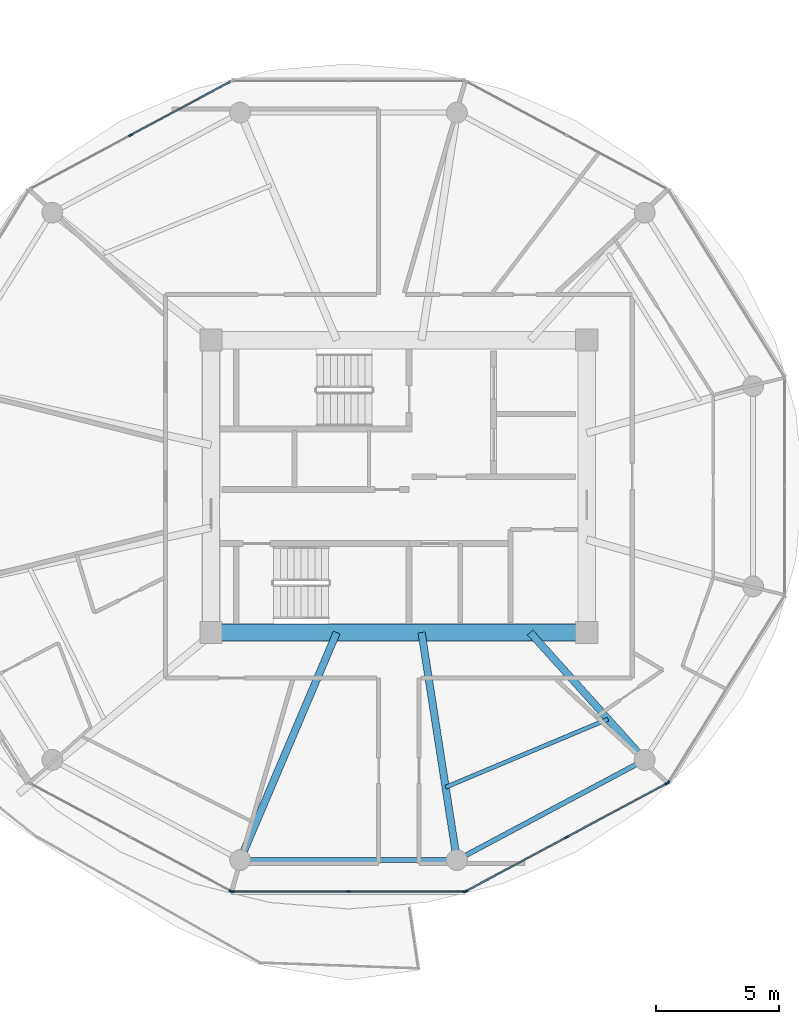
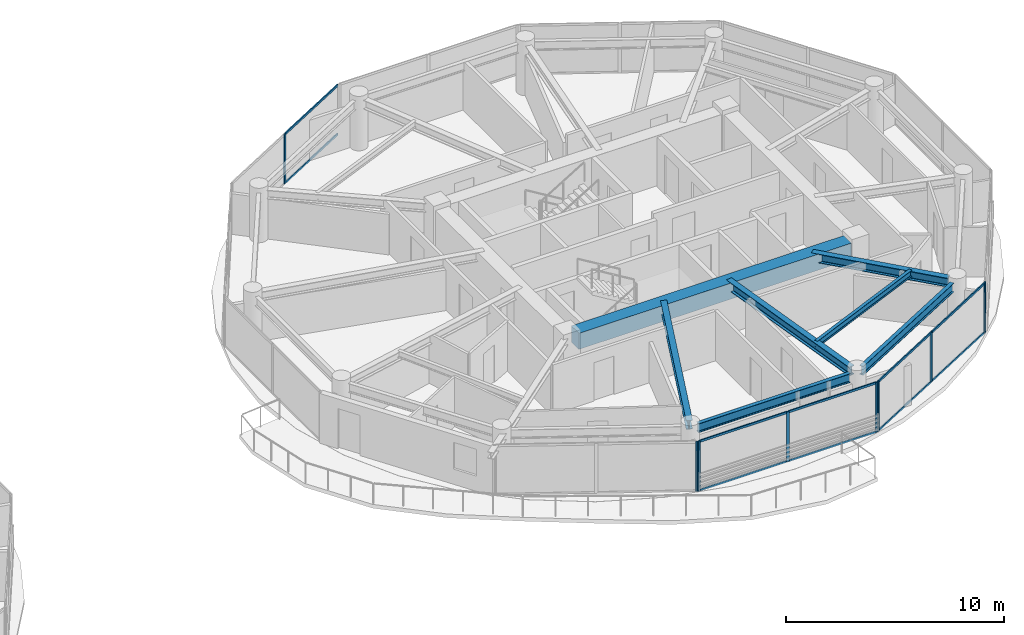
# One storey, part 10 of 23: 19 members, 7 beams, 5 elements without a shape of their own.
"""IFC4 building model written with IfcOpenShell, lengths in metres."""

from ifc_helpers import new_model, si_unit, direction, frame, origin, origin_2d, place, context, subcontext, project, spatial, rectangle, i_section, extrude, source, transform, mapped, material, layer, layer_set, material_profile, profile_set, type_object, type_shapes, element, aggregate, save


model = new_model("IFC4")

# Units and contexts
model_context = context("Model", 3, precision=1e-05, world=origin(), true_north=direction((0.0, 1.0)))
body_context = subcontext(model_context, "Body", "Model", "MODEL_VIEW")
ifc_project = project(units=[si_unit("LENGTHUNIT", "METRE"), si_unit("AREAUNIT", "SQUARE_METRE"), si_unit("VOLUMEUNIT", "CUBIC_METRE"), si_unit("PLANEANGLEUNIT", "RADIAN"), si_unit("MASSUNIT", "GRAM", prefix="KILO")], contexts=[model_context])

# Site, building, storey
site_placement = place(None, origin())
site = spatial("IfcSite", under=ifc_project, at=site_placement, CompositionType="ELEMENT")
building_placement = place(site_placement, origin())
building = spatial("IfcBuilding", under=site, at=building_placement, Name="Norrkilde Senior Care Towers", CompositionType="ELEMENT")
storey_placement = place(building_placement, frame((0.0, 0.0, 81.0)))
storey = spatial("IfcBuildingStorey", under=building, at=storey_placement, Name="L24", CompositionType="ELEMENT", Elevation=81.0)

# Beams
ifc_material_1 = material(Name="Concrete C60/75", Category="concrete")
ifc_material_profile_1 = material_profile(ifc_material_1, rectangle(XDim=0.699951171875, YDim=0.89990234375, at=origin_2d()), Name="RC BM 700x900")
ifc_profile_set_1 = profile_set([ifc_material_profile_1], Name="Concrete C60/75")
beam_type_1 = type_object("IfcBeamType", Name="Core Coupling Girder 700x900", PredefinedType="USERDEFINED", material=ifc_profile_set_1)
shared_shape_1 = source(origin(), body_context, "Body", "SweptSolid", [
    extrude(rectangle(XDim=0.699951171875, YDim=0.89990234375, at=origin_2d()), origin(), (0.0, 0.0, 1.0), 14.43994140625),
])
type_shapes(beam_type_1, [shared_shape_1])
beam_1_placement = place(storey_placement, frame((20.780029296875, -5.949951171875, 2.340087890625), z_axis=(1.0, 0.0, 0.0), x_axis=(0.0, 1.0, 0.0)))
element("IfcBeam", 1, at=beam_1_placement, inside=storey, type_object=beam_type_1, Name="L24 Core E S Coupling Girder", ObjectType="GIRDER", PredefinedType="USERDEFINED", context=body_context, shape_type="MappedRepresentation", body=[
    mapped(shared_shape_1, transform((0.0, 0.0, 0.0), x_axis=(1.0, 0.0, 0.0), y_axis=(0.0, 1.0, 0.0), z_axis=(0.0, 0.0, 1.0), scale=1.0)),
])
ifc_material_2 = material(Name="Steel S355", Category="steel")
ifc_material_profile_2 = material_profile(ifc_material_2, i_section(OverallWidth=0.199951171875, OverallDepth=0.5, WebThickness=0.01025390625, FlangeThickness=0.01611328125, FilletRadius=0.02099609375, at=origin_2d()), Name="IPE 500")
ifc_profile_set_2 = profile_set([ifc_material_profile_2], Name="Steel S355")
beam_type_2 = type_object("IfcBeamType", Name="Perimeter Ring Spandrel Z2 IPE500", PredefinedType="SPANDREL", material=ifc_profile_set_2)
shared_shape_2 = source(origin(), body_context, "Body", "SweptSolid", [
    extrude(i_section(OverallWidth=0.199951171875, OverallDepth=0.5, WebThickness=0.01025390625, FlangeThickness=0.01611328125, FilletRadius=0.02099609375, at=origin_2d()), origin(), (0.0, 0.0, 1.0), 7.892333984375),
])
beam_2_placement = place(storey_placement, frame((30.70263671875, -15.0322265625, 2.5400390625), z_axis=(0.882350372282, 0.47059305194, 0.0), x_axis=(-0.47059305194, 0.882350372282, 0.0)))
element("IfcBeam", 2, at=beam_2_placement, inside=storey, type_object=beam_type_2, Name="L24 Drum E Perimeter Spandrel 10", PredefinedType="SPANDREL", context=body_context, shape_type="MappedRepresentation", body=[
    mapped(shared_shape_2, transform((0.0, 0.0, 0.0), x_axis=(1.0, 0.0, 0.0), y_axis=(0.0, 1.0, 0.0), z_axis=(0.0, 0.0, 1.0), scale=1.0)),
])
shared_shape_3 = source(origin(), body_context, "Body", "SweptSolid", [
    extrude(i_section(OverallWidth=0.199951171875, OverallDepth=0.5, WebThickness=0.01025390625, FlangeThickness=0.01611328125, FilletRadius=0.02099609375, at=origin_2d()), origin(), (0.0, 0.0, 1.0), 8.0556640625),
])
type_shapes(beam_type_2, [shared_shape_2, shared_shape_3])
beam_3_placement = place(storey_placement, frame((21.922119140625, -15.21337890625, 2.5400390625), z_axis=(1.0, 0.0, 0.0), x_axis=(0.0, 1.0, 0.0)))
element("IfcBeam", 3, at=beam_3_placement, inside=storey, type_object=beam_type_2, Name="L24 Drum E Perimeter Spandrel 09", PredefinedType="SPANDREL", context=body_context, shape_type="MappedRepresentation", body=[
    mapped(shared_shape_3, transform((0.0, 0.0, 0.0), x_axis=(1.0, 0.0, 0.0), y_axis=(0.0, 1.0, 0.0), z_axis=(0.0, 0.0, 1.0), scale=1.0)),
])
ifc_material_profile_3 = material_profile(ifc_material_2, i_section(OverallWidth=0.300048828125, OverallDepth=0.5, WebThickness=0.014404296875, FlangeThickness=0.028076171875, FilletRadius=0.027099609375, at=origin_2d()), Name="HEB 500")
ifc_profile_set_3 = profile_set([ifc_material_profile_3], Name="Steel S355")
beam_type_3 = type_object("IfcBeamType", Name="Radial Floor Beam Z2 HEB500", PredefinedType="BEAM", material=ifc_profile_set_3)
shared_shape_4 = source(origin(), body_context, "Body", "SweptSolid", [
    extrude(i_section(OverallWidth=0.300048828125, OverallDepth=0.5, WebThickness=0.014404296875, FlangeThickness=0.028076171875, FilletRadius=0.027099609375, at=origin_2d()), origin(), (0.0, 0.0, 1.0), 9.679443359375),
])
beam_4_placement = place(storey_placement, frame((25.472412109375, -5.949951171875, 2.5400390625), z_axis=(-0.390998033479, -0.920391513333, 0.0), x_axis=(0.920391513333, -0.390998033479, 0.0)))
element("IfcBeam", 4, at=beam_4_placement, inside=storey, type_object=beam_type_3, Name="L24 Drum E Radial Floor Beam 09", PredefinedType="BEAM", context=body_context, shape_type="MappedRepresentation", body=[
    mapped(shared_shape_4, transform((0.0, 0.0, 0.0), x_axis=(1.0, 0.0, 0.0), y_axis=(0.0, 1.0, 0.0), z_axis=(0.0, 0.0, 1.0), scale=1.0)),
])
shared_shape_5 = source(origin(), body_context, "Body", "SweptSolid", [
    extrude(i_section(OverallWidth=0.300048828125, OverallDepth=0.5, WebThickness=0.014404296875, FlangeThickness=0.028076171875, FilletRadius=0.027099609375, at=origin_2d()), origin(), (0.0, 0.0, 1.0), 8.989501953125),
])
beam_5_placement = place(storey_placement, frame((28.924072265625, -5.949951171875, 2.5400390625), z_axis=(0.153471298636, -0.988153105796, 0.0), x_axis=(0.988153105796, 0.153471298636, 0.0)))
element("IfcBeam", 5, at=beam_5_placement, inside=storey, type_object=beam_type_3, Name="L24 Drum E Radial Floor Beam 10", PredefinedType="BEAM", context=body_context, shape_type="MappedRepresentation", body=[
    mapped(shared_shape_5, transform((0.0, 0.0, 0.0), x_axis=(1.0, 0.0, 0.0), y_axis=(0.0, 1.0, 0.0), z_axis=(0.0, 0.0, 1.0), scale=1.0)),
])
shared_shape_6 = source(origin(), body_context, "Body", "SweptSolid", [
    extrude(i_section(OverallWidth=0.300048828125, OverallDepth=0.5, WebThickness=0.014404296875, FlangeThickness=0.028076171875, FilletRadius=0.027099609375, at=origin_2d()), origin(), (0.0, 0.0, 1.0), 6.587890625),
])
type_shapes(beam_type_3, [shared_shape_4, shared_shape_5, shared_shape_6])
beam_6_placement = place(storey_placement, frame((33.345947265625, -5.949951171875, 2.5400390625), z_axis=(0.668315438605, -0.743877997068, 0.0), x_axis=(0.743877997068, 0.668315438605, 0.0)))
element("IfcBeam", 6, at=beam_6_placement, inside=storey, type_object=beam_type_3, Name="L24 Drum E Radial Floor Beam 11", PredefinedType="BEAM", context=body_context, shape_type="MappedRepresentation", body=[
    mapped(shared_shape_6, transform((0.0, 0.0, 0.0), x_axis=(1.0, 0.0, 0.0), y_axis=(0.0, 1.0, 0.0), z_axis=(0.0, 0.0, 1.0), scale=1.0)),
])
ifc_material_profile_4 = material_profile(ifc_material_2, i_section(OverallWidth=0.169921875, OverallDepth=0.360107421875, WebThickness=0.008056640625, FlangeThickness=0.0126953125, FilletRadius=0.01806640625, at=origin_2d()), Name="IPE 360")
ifc_profile_set_4 = profile_set([ifc_material_profile_4], Name="Steel S355")
beam_type_4 = type_object("IfcBeamType", Name="Secondary Floor Joist IPE360", PredefinedType="JOIST", material=ifc_profile_set_4)
shared_shape_7 = source(origin(), body_context, "Body", "SweptSolid", [
    extrude(i_section(OverallWidth=0.169921875, OverallDepth=0.360107421875, WebThickness=0.008056640625, FlangeThickness=0.0126953125, FilletRadius=0.01806640625, at=origin_2d()), origin(), (0.0, 0.0, 1.0), 7.169921875),
])
type_shapes(beam_type_4, [shared_shape_7])
beam_7_placement = place(storey_placement, frame((29.902587890625, -12.2490234375, 2.610107421875), z_axis=(0.922240600393, 0.386616444279, 0.0), x_axis=(-0.386616444279, 0.922240600393, 0.0)))
element("IfcBeam", 7, at=beam_7_placement, inside=storey, type_object=beam_type_4, Name="L24 Drum E Secondary Floor Joist 4", PredefinedType="JOIST", context=body_context, shape_type="MappedRepresentation", body=[
    mapped(shared_shape_7, transform((0.0, 0.0, 0.0), x_axis=(1.0, 0.0, 0.0), y_axis=(0.0, 1.0, 0.0), z_axis=(0.0, 0.0, 1.0), scale=1.0)),
])

# Curtain wall, member
ifc_material_3 = material(Name="Triple Low-E Insulated Glazing", Category="glass")
ifc_layer = layer(ifc_material_3, 0.195068359375)
ifc_layer_set = layer_set([ifc_layer], Name="Triple Low-E Insulated Glazing")
curtain_wall_type = type_object("IfcCurtainWallType", Name="CW3 Zone 2 Assisted Living Curtain Wall", PredefinedType="NOTDEFINED", material=ifc_layer_set)
curtain_wall_1_placement = place(storey_placement, origin())
curtain_wall_1 = element("IfcCurtainWall", 8, at=curtain_wall_1_placement, inside=storey, type_object=curtain_wall_type, Name="L24 Drum E Curtain Wall 03", PredefinedType="NOTDEFINED")
ifc_material_4 = material(Name="Anodised Aluminium", Category="aluminium")
ifc_material_profile_5 = material_profile(ifc_material_4, rectangle(XDim=0.06494140625, YDim=0.159912109375, at=origin_2d()), Name="ALU MULL 65x160")
ifc_profile_set_5 = profile_set([ifc_material_profile_5], Name="Anodised Aluminium")
member_type_1 = type_object("IfcMemberType", Name="Curtain Wall Mullion Z1-Z2 65x160", PredefinedType="MULLION", material=ifc_profile_set_5)
shared_shape_8 = source(origin(), body_context, "Body", "SweptSolid", [
    extrude(rectangle(XDim=0.06494140625, YDim=0.159912109375, at=origin_2d()), origin(), (0.0, 0.0, 1.0), 2.7900390625),
])
type_shapes(member_type_1, [shared_shape_8])
member_1_placement = place(storey_placement, frame((17.0732421875, 14.28759765625, 0.0), z_axis=(0.0, 0.0, 1.0), x_axis=(-0.472769402511, 0.881186184668, 0.0)))
member_1 = element("IfcMember", 9, at=member_1_placement, type_object=member_type_1, Name="CW-3 mullion 2", PredefinedType="MULLION", context=body_context, shape_type="MappedRepresentation", body=[
    mapped(shared_shape_8, transform((0.0, 0.0, 0.0), x_axis=(1.0, 0.0, 0.0), y_axis=(0.0, 1.0, 0.0), z_axis=(0.0, 0.0, 1.0), scale=1.0)),
])

curtain_wall_2_placement = place(storey_placement, origin())
curtain_wall_2 = element("IfcCurtainWall", 10, at=curtain_wall_2_placement, inside=storey, type_object=curtain_wall_type, Name="L24 Drum E Curtain Wall 07", PredefinedType="NOTDEFINED")
member_2_placement = place(storey_placement, frame((21.164306640625, -16.482666015625, 0.0), z_axis=(0.0, 0.0, 1.0), x_axis=(-0.472769402511, -0.881186184668, 0.0)))
member_2 = element("IfcMember", 11, at=member_2_placement, type_object=member_type_1, Name="CW-3 mullion 1", PredefinedType="MULLION", context=body_context, shape_type="MappedRepresentation", body=[
    mapped(shared_shape_8, transform((0.0, 0.0, 0.0), x_axis=(1.0, 0.0, 0.0), y_axis=(0.0, 1.0, 0.0), z_axis=(0.0, 0.0, 1.0), scale=1.0)),
])
aggregate(curtain_wall_2, [member_2])

# Curtain wall, members
curtain_wall_3_placement = place(storey_placement, origin())
curtain_wall_3 = element("IfcCurtainWall", 12, at=curtain_wall_3_placement, inside=storey, type_object=curtain_wall_type, Name="L24 Drum E Curtain Wall 08", PredefinedType="NOTDEFINED")
member_3_placement = place(storey_placement, frame((30.674560546875, -16.498046875, 0.0), z_axis=(0.0, 0.0, 1.0), x_axis=(0.0, -1.0, 0.0)))
member_3 = element("IfcMember", 13, at=member_3_placement, type_object=member_type_1, Name="CW-3 mullion 1", PredefinedType="MULLION", context=body_context, shape_type="MappedRepresentation", body=[
    mapped(shared_shape_8, transform((0.0, 0.0, 0.0), x_axis=(1.0, 0.0, 0.0), y_axis=(0.0, 1.0, 0.0), z_axis=(0.0, 0.0, 1.0), scale=1.0)),
])
member_4_placement = place(storey_placement, frame((25.949951171875, -16.498046875, 0.0), z_axis=(0.0, 0.0, 1.0), x_axis=(0.0, -1.0, 0.0)))
member_4 = element("IfcMember", 14, at=member_4_placement, type_object=member_type_1, Name="CW-3 mullion 2", PredefinedType="MULLION", context=body_context, shape_type="MappedRepresentation", body=[
    mapped(shared_shape_8, transform((0.0, 0.0, 0.0), x_axis=(1.0, 0.0, 0.0), y_axis=(0.0, 1.0, 0.0), z_axis=(0.0, 0.0, 1.0), scale=1.0)),
])
member_5_placement = place(storey_placement, frame((21.225341796875, -16.498046875, 0.0), z_axis=(0.0, 0.0, 1.0), x_axis=(0.0, -1.0, 0.0)))
member_5 = element("IfcMember", 15, at=member_5_placement, type_object=member_type_1, Name="CW-3 mullion 3", PredefinedType="MULLION", context=body_context, shape_type="MappedRepresentation", body=[
    mapped(shared_shape_8, transform((0.0, 0.0, 0.0), x_axis=(1.0, 0.0, 0.0), y_axis=(0.0, 1.0, 0.0), z_axis=(0.0, 0.0, 1.0), scale=1.0)),
])

curtain_wall_4_placement = place(storey_placement, origin())
curtain_wall_4 = element("IfcCurtainWall", 16, at=curtain_wall_4_placement, inside=storey, type_object=curtain_wall_type, Name="L24 Drum E Curtain Wall 09", PredefinedType="NOTDEFINED")
member_6_placement = place(storey_placement, frame((38.91796875, -12.0927734375, 0.0), z_axis=(0.0, 0.0, 1.0), x_axis=(0.472769402511, -0.881186184668, 0.0)))
member_6 = element("IfcMember", 17, at=member_6_placement, type_object=member_type_1, Name="CW-3 mullion 1", PredefinedType="MULLION", context=body_context, shape_type="MappedRepresentation", body=[
    mapped(shared_shape_8, transform((0.0, 0.0, 0.0), x_axis=(1.0, 0.0, 0.0), y_axis=(0.0, 1.0, 0.0), z_axis=(0.0, 0.0, 1.0), scale=1.0)),
])
member_7_placement = place(storey_placement, frame((34.826904296875, -14.28759765625, 0.0), z_axis=(0.0, 0.0, 1.0), x_axis=(0.472769402511, -0.881186184668, 0.0)))
member_7 = element("IfcMember", 18, at=member_7_placement, type_object=member_type_1, Name="CW-3 mullion 2", PredefinedType="MULLION", context=body_context, shape_type="MappedRepresentation", body=[
    mapped(shared_shape_8, transform((0.0, 0.0, 0.0), x_axis=(1.0, 0.0, 0.0), y_axis=(0.0, 1.0, 0.0), z_axis=(0.0, 0.0, 1.0), scale=1.0)),
])
member_8_placement = place(storey_placement, frame((30.73583984375, -16.482666015625, 0.0), z_axis=(0.0, 0.0, 1.0), x_axis=(0.472769402511, -0.881186184668, 0.0)))
member_8 = element("IfcMember", 19, at=member_8_placement, type_object=member_type_1, Name="CW-3 mullion 3", PredefinedType="MULLION", context=body_context, shape_type="MappedRepresentation", body=[
    mapped(shared_shape_8, transform((0.0, 0.0, 0.0), x_axis=(1.0, 0.0, 0.0), y_axis=(0.0, 1.0, 0.0), z_axis=(0.0, 0.0, 1.0), scale=1.0)),
])

# Curtain wall, member
curtain_wall_5_placement = place(storey_placement, origin())
curtain_wall_5 = element("IfcCurtainWall", 20, at=curtain_wall_5_placement, inside=storey, type_object=curtain_wall_type, Name="L24 Drum E Curtain Wall 10", PredefinedType="NOTDEFINED")
member_9_placement = place(storey_placement, frame((38.9638671875, -12.0498046875, 0.0), z_axis=(0.0, 0.0, 1.0), x_axis=(0.849410171862, -0.527733228002, 0.0)))
member_9 = element("IfcMember", 21, at=member_9_placement, type_object=member_type_1, Name="CW-3 mullion 3", PredefinedType="MULLION", context=body_context, shape_type="MappedRepresentation", body=[
    mapped(shared_shape_8, transform((0.0, 0.0, 0.0), x_axis=(1.0, 0.0, 0.0), y_axis=(0.0, 1.0, 0.0), z_axis=(0.0, 0.0, 1.0), scale=1.0)),
])
aggregate(curtain_wall_5, [member_9])

# Member
ifc_material_profile_6 = material_profile(ifc_material_4, rectangle(XDim=0.06005859375, YDim=0.1201171875, at=origin_2d()), Name="ALU TRAN 60x120")
ifc_profile_set_6 = profile_set([ifc_material_profile_6], Name="Anodised Aluminium")
member_type_2 = type_object("IfcMemberType", Name="Curtain Wall Transom Typical 60x120", PredefinedType="USERDEFINED", material=ifc_profile_set_6)
shared_shape_9 = source(origin(), body_context, "Body", "SweptSolid", [
    extrude(rectangle(XDim=0.06005859375, YDim=0.1201171875, at=origin_2d()), origin(), (0.0, 0.0, 1.0), 4.65966796875),
])
member_10_placement = place(storey_placement, frame((30.64208984375, -16.498046875, 0.030029296875), z_axis=(-1.0, 0.0, 0.0), x_axis=(0.0, -1.0, 0.0)))
member_10 = element("IfcMember", 22, at=member_10_placement, type_object=member_type_2, Name="CW-3 transom 1.1", ObjectType="TRANSOM", PredefinedType="USERDEFINED", context=body_context, shape_type="MappedRepresentation", body=[
    mapped(shared_shape_9, transform((0.0, 0.0, 0.0), x_axis=(1.0, 0.0, 0.0), y_axis=(0.0, 1.0, 0.0), z_axis=(0.0, 0.0, 1.0), scale=1.0)),
])

member_11_placement = place(storey_placement, frame((30.64208984375, -16.498046875, 2.760009765625), z_axis=(-1.0, 0.0, 0.0), x_axis=(0.0, -1.0, 0.0)))
member_11 = element("IfcMember", 23, at=member_11_placement, type_object=member_type_2, Name="CW-3 transom 1.2", ObjectType="TRANSOM", PredefinedType="USERDEFINED", context=body_context, shape_type="MappedRepresentation", body=[
    mapped(shared_shape_9, transform((0.0, 0.0, 0.0), x_axis=(1.0, 0.0, 0.0), y_axis=(0.0, 1.0, 0.0), z_axis=(0.0, 0.0, 1.0), scale=1.0)),
])

member_12_placement = place(storey_placement, frame((25.91748046875, -16.498046875, 0.030029296875), z_axis=(-1.0, 0.0, 0.0), x_axis=(0.0, -1.0, 0.0)))
member_12 = element("IfcMember", 24, at=member_12_placement, type_object=member_type_2, Name="CW-3 transom 2.1", ObjectType="TRANSOM", PredefinedType="USERDEFINED", context=body_context, shape_type="MappedRepresentation", body=[
    mapped(shared_shape_9, transform((0.0, 0.0, 0.0), x_axis=(1.0, 0.0, 0.0), y_axis=(0.0, 1.0, 0.0), z_axis=(0.0, 0.0, 1.0), scale=1.0)),
])

member_13_placement = place(storey_placement, frame((25.91748046875, -16.498046875, 2.760009765625), z_axis=(-1.0, 0.0, 0.0), x_axis=(0.0, -1.0, 0.0)))
member_13 = element("IfcMember", 25, at=member_13_placement, type_object=member_type_2, Name="CW-3 transom 2.2", ObjectType="TRANSOM", PredefinedType="USERDEFINED", context=body_context, shape_type="MappedRepresentation", body=[
    mapped(shared_shape_9, transform((0.0, 0.0, 0.0), x_axis=(1.0, 0.0, 0.0), y_axis=(0.0, 1.0, 0.0), z_axis=(0.0, 0.0, 1.0), scale=1.0)),
])

aggregate(curtain_wall_3, [member_3, member_4, member_5, member_10, member_11, member_12, member_13])

shared_shape_10 = source(origin(), body_context, "Body", "SweptSolid", [
    extrude(rectangle(XDim=0.06005859375, YDim=0.1201171875, at=origin_2d()), origin(), (0.0, 0.0, 1.0), 4.57763671875),
])
member_14_placement = place(storey_placement, frame((38.889404296875, -12.108154296875, 0.030029296875), z_axis=(-0.881204703403, -0.472734884159, 0.0), x_axis=(0.472734884159, -0.881204703403, 0.0)))
member_14 = element("IfcMember", 26, at=member_14_placement, type_object=member_type_2, Name="CW-3 transom 1.1", ObjectType="TRANSOM", PredefinedType="USERDEFINED", context=body_context, shape_type="MappedRepresentation", body=[
    mapped(shared_shape_10, transform((0.0, 0.0, 0.0), x_axis=(1.0, 0.0, 0.0), y_axis=(0.0, 1.0, 0.0), z_axis=(0.0, 0.0, 1.0), scale=1.0)),
])

member_15_placement = place(storey_placement, frame((38.889404296875, -12.108154296875, 2.760009765625), z_axis=(-0.881204703403, -0.472734884159, 0.0), x_axis=(0.472734884159, -0.881204703403, 0.0)))
member_15 = element("IfcMember", 27, at=member_15_placement, type_object=member_type_2, Name="CW-3 transom 1.2", ObjectType="TRANSOM", PredefinedType="USERDEFINED", context=body_context, shape_type="MappedRepresentation", body=[
    mapped(shared_shape_10, transform((0.0, 0.0, 0.0), x_axis=(1.0, 0.0, 0.0), y_axis=(0.0, 1.0, 0.0), z_axis=(0.0, 0.0, 1.0), scale=1.0)),
])

shared_shape_11 = source(origin(), body_context, "Body", "SweptSolid", [
    extrude(rectangle(XDim=0.06005859375, YDim=0.1201171875, at=origin_2d()), origin(), (0.0, 0.0, 1.0), 4.577880859375),
])
type_shapes(member_type_2, [shared_shape_9, shared_shape_10, shared_shape_11])
member_16_placement = place(storey_placement, frame((17.101806640625, 14.302978515625, 0.030029296875), z_axis=(0.881182486146, 0.472776296053, 0.0), x_axis=(-0.472776296053, 0.881182486146, 0.0)))
member_16 = element("IfcMember", 28, at=member_16_placement, type_object=member_type_2, Name="CW-3 transom 2.1", ObjectType="TRANSOM", PredefinedType="USERDEFINED", context=body_context, shape_type="MappedRepresentation", body=[
    mapped(shared_shape_11, transform((0.0, 0.0, 0.0), x_axis=(1.0, 0.0, 0.0), y_axis=(0.0, 1.0, 0.0), z_axis=(0.0, 0.0, 1.0), scale=1.0)),
])

member_17_placement = place(storey_placement, frame((17.101806640625, 14.302978515625, 2.760009765625), z_axis=(0.881182486146, 0.472776296053, 0.0), x_axis=(-0.472776296053, 0.881182486146, 0.0)))
member_17 = element("IfcMember", 29, at=member_17_placement, type_object=member_type_2, Name="CW-3 transom 2.2", ObjectType="TRANSOM", PredefinedType="USERDEFINED", context=body_context, shape_type="MappedRepresentation", body=[
    mapped(shared_shape_11, transform((0.0, 0.0, 0.0), x_axis=(1.0, 0.0, 0.0), y_axis=(0.0, 1.0, 0.0), z_axis=(0.0, 0.0, 1.0), scale=1.0)),
])

aggregate(curtain_wall_1, [member_1, member_16, member_17])

member_18_placement = place(storey_placement, frame((34.79833984375, -14.302978515625, 0.030029296875), z_axis=(-0.881182486146, -0.472776296053, 0.0), x_axis=(0.472776296053, -0.881182486146, 0.0)))
member_18 = element("IfcMember", 30, at=member_18_placement, type_object=member_type_2, Name="CW-3 transom 2.1", ObjectType="TRANSOM", PredefinedType="USERDEFINED", context=body_context, shape_type="MappedRepresentation", body=[
    mapped(shared_shape_11, transform((0.0, 0.0, 0.0), x_axis=(1.0, 0.0, 0.0), y_axis=(0.0, 1.0, 0.0), z_axis=(0.0, 0.0, 1.0), scale=1.0)),
])

member_19_placement = place(storey_placement, frame((34.79833984375, -14.302978515625, 2.760009765625), z_axis=(-0.881182486146, -0.472776296053, 0.0), x_axis=(0.472776296053, -0.881182486146, 0.0)))
member_19 = element("IfcMember", 31, at=member_19_placement, type_object=member_type_2, Name="CW-3 transom 2.2", ObjectType="TRANSOM", PredefinedType="USERDEFINED", context=body_context, shape_type="MappedRepresentation", body=[
    mapped(shared_shape_11, transform((0.0, 0.0, 0.0), x_axis=(1.0, 0.0, 0.0), y_axis=(0.0, 1.0, 0.0), z_axis=(0.0, 0.0, 1.0), scale=1.0)),
])

aggregate(curtain_wall_4, [member_6, member_7, member_8, member_14, member_15, member_18, member_19])

save(model, "model.ifc")
